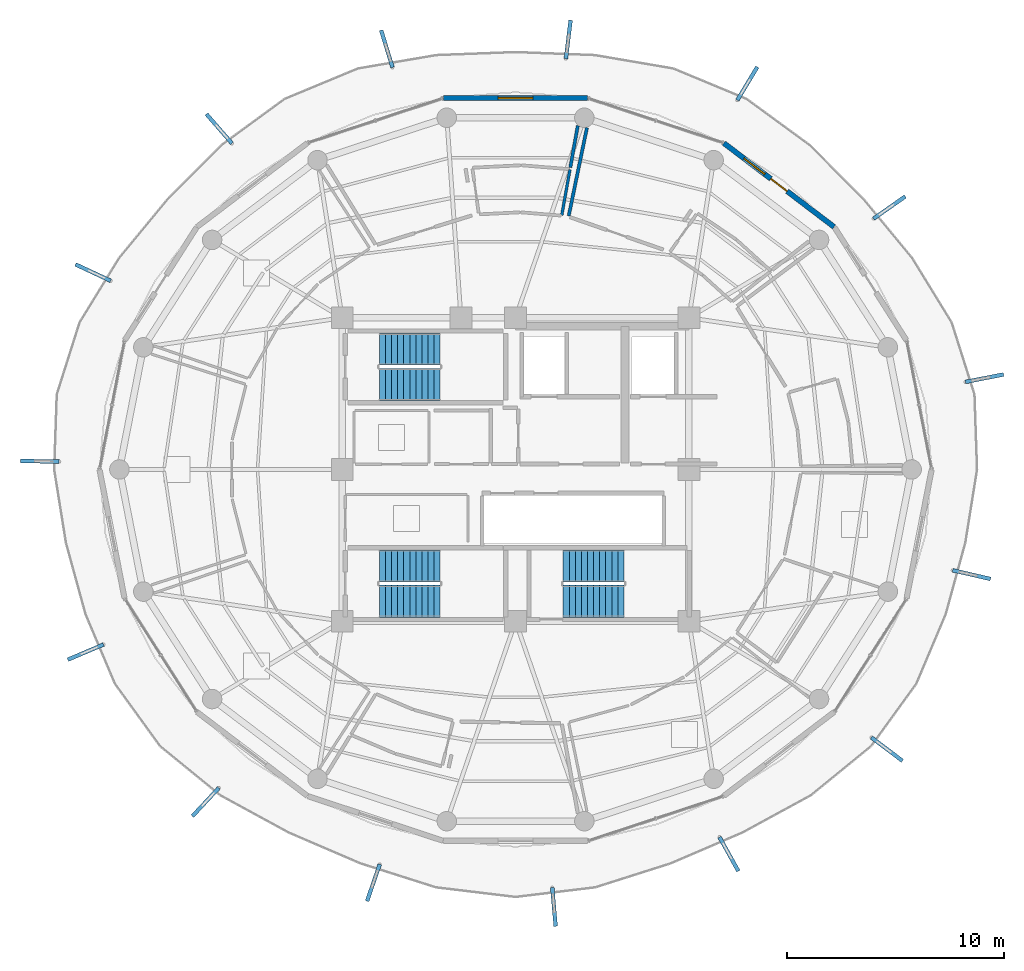
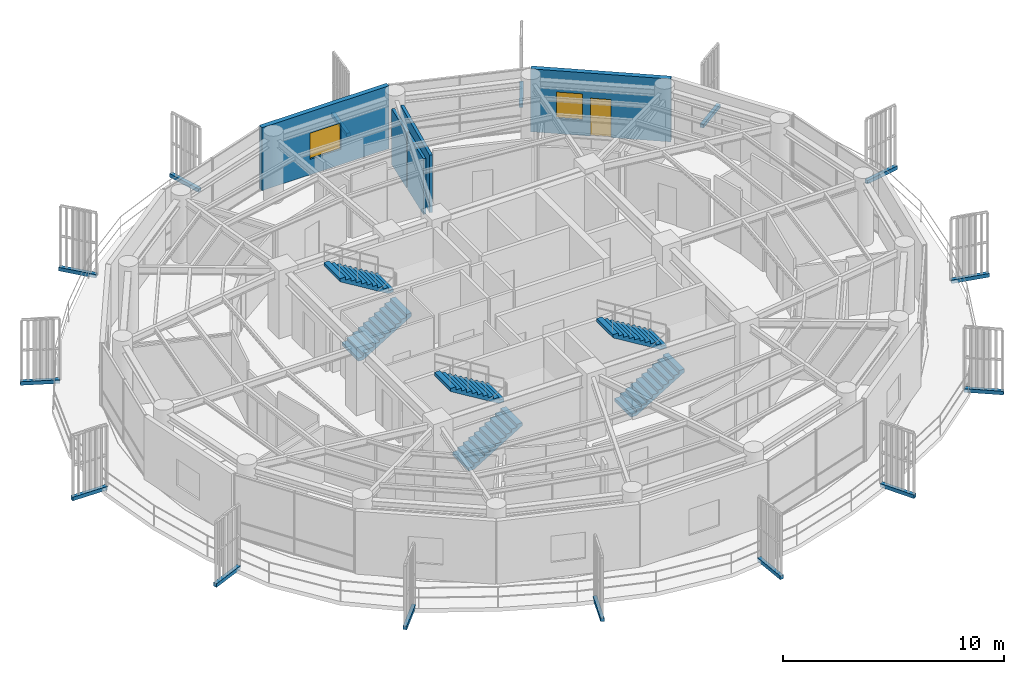
# One storey, part 20 of 24: 15 discrete accessories, 6 stair flights, 5 walls, 2 windows, 1 door, 3 openings, 3 elements without a shape of their own.
"""IFC4 building model written with IfcOpenShell, lengths in metres."""

from ifc_helpers import new_model, si_unit, direction, frame, frame_2d, origin, origin_2d, place, context, subcontext, project, spatial, polyline, rectangle, outline, extrude, source, transform, mapped, material, layer, layer_set, type_object, element, fill, aggregate, save


model = new_model("IFC4")

# Units and contexts
model_context = context("Model", 3, precision=1e-05, world=origin(), true_north=direction((0.0, 1.0)))
body_context = subcontext(model_context, "Body", "Model", "MODEL_VIEW")
ifc_project = project(units=[si_unit("LENGTHUNIT", "METRE"), si_unit("AREAUNIT", "SQUARE_METRE"), si_unit("VOLUMEUNIT", "CUBIC_METRE"), si_unit("PLANEANGLEUNIT", "RADIAN"), si_unit("MASSUNIT", "GRAM", prefix="KILO")], contexts=[model_context])

# Site, building, storey
site_placement = place(None, origin())
site = spatial("IfcSite", under=ifc_project, at=site_placement, CompositionType="ELEMENT")
building_placement = place(site_placement, origin())
building = spatial("IfcBuilding", under=site, at=building_placement, Name="Kelanora Arch Commons", CompositionType="ELEMENT")
storey_placement = place(building_placement, frame((0.0, 0.0, 248.699951171875)))
storey = spatial("IfcBuildingStorey", under=building, at=storey_placement, Name="L63", CompositionType="ELEMENT", Elevation=248.699951171875)

# Walls
ifc_material_1 = material(Name="Autoclaved aerated concrete blockwork with fire plaster", Category="masonry")
ifc_layer_1 = layer(ifc_material_1, 0.14990234375)
ifc_layer_set_1 = layer_set([ifc_layer_1], Name="Autoclaved aerated concrete blockwork with fire plaster")
wall_type_1 = type_object("IfcWallType", Name="W-COMP-150", PredefinedType="PARTITIONING", material=ifc_layer_set_1)
wall_1_placement = place(storey_placement, frame((76.453125, 69.703125, 0.0), z_axis=(0.0, 0.0, 1.0), x_axis=(0.202308141573, 0.979321916355, 0.0)))
element("IfcWall", 1, at=wall_1_placement, inside=storey, type_object=wall_type_1, Name="Co-Living Studio L63-02 Enclosure Partition 2", PredefinedType="PARTITIONING", context=body_context, shape_type="SweptSolid", body=[
    extrude(rectangle(XDim=4.152587890625, YDim=0.14990234375, at=frame_2d((2.076171875, 0.0))), origin(), (0.0, 0.0, 1.0), 3.175048828125),
])
wall_2_placement = place(storey_placement, frame((76.87109375, 73.864013671875, 0.0), z_axis=(0.0, 0.0, 1.0), x_axis=(-0.176100981623, -0.98437210661, 0.0)))
element("IfcWall", 2, at=wall_2_placement, inside=storey, type_object=wall_type_1, Name="Co-Living Studio L63-03 Enclosure Partition 5", PredefinedType="PARTITIONING", context=body_context, shape_type="SweptSolid", body=[
    extrude(rectangle(XDim=1.960205078125, YDim=0.14990234375, at=frame_2d((0.97998046875, 0.0))), origin(), (0.0, 0.0, 1.0), 3.074951171875),
])

# Wall, openings, door, window
ifc_material_2 = material(Name="Precast concrete C40/50 upper-zone terracotta rainscreen", Category="masonry")
ifc_layer_2 = layer(ifc_material_2, 0.239990234375)
ifc_layer_set_2 = layer_set([ifc_layer_2], Name="Precast concrete C40/50 upper-zone terracotta rainscreen")
wall_type_2 = type_object("IfcWallType", Name="W-EXT-TC2", PredefinedType="SOLIDWALL", material=ifc_layer_set_2)
wall_3_placement = place(storey_placement, frame((88.6962890625, 69.193603515625, 0.0), z_axis=(0.0, 0.0, 1.0), x_axis=(-0.796010444211, 0.605282886514, 0.0)))
wall_3 = element("IfcWall", 3, at=wall_3_placement, inside=storey, type_object=wall_type_2, Name="Terracotta Exterior Wall L63-B02", PredefinedType="SOLIDWALL", context=body_context, shape_type="SweptSolid", body=[
    extrude(rectangle(XDim=6.387451171875, YDim=0.239990234375, at=frame_2d((3.19384765625, 0.0))), origin(), (0.0, 0.0, 1.0), 3.47509765625),
])
opening_1_placement = place(wall_3_placement, frame((2.718994140625, 0.0, 0.0)))
opening_1 = element("IfcOpeningElement", 4, at=opening_1_placement, cuts=wall_3, Name="Opening DB-01", PredefinedType="OPENING", context=body_context, shape_type="SweptSolid", body=[
    extrude(rectangle(XDim=0.949951171875, YDim=2.10009765625, at=frame_2d((0.47509765625, 1.050048828125))), frame((0.0, 0.1298828125, 0.0), z_axis=(0.0, -1.0, 0.0), x_axis=(1.0, 0.0, 0.0)), (0.0, 0.0, 1.0), 0.260009765625),
])
opening_2_placement = place(wall_3_placement, frame((4.01904296875, 0.0, 0.85009765625)))
opening_2 = element("IfcOpeningElement", 5, at=opening_2_placement, cuts=wall_3, Name="Opening WN-02", PredefinedType="OPENING", context=body_context, shape_type="SweptSolid", body=[
    extrude(rectangle(XDim=1.199951171875, YDim=1.449951171875, at=frame_2d((0.60009765625, 0.72509765625))), frame((0.0, 0.1298828125, 0.0), z_axis=(0.0, -1.0, 0.0), x_axis=(1.0, 0.0, 0.0)), (0.0, 0.0, 1.0), 0.260009765625),
])
ifc_material_3 = material(Name="Terracotta-aluminium thermally broken glazed balcony door", Category="masonry")
door_type = type_object("IfcDoorType", Name="D-BAL-10", OperationType="NOTDEFINED", PredefinedType="DOOR", material=ifc_material_3)
door_placement = place(opening_1_placement, frame((0.949951171875, 0.0, 0.0), z_axis=(0.0, 0.0, 1.0), x_axis=(-1.0, 0.0, 0.0)))
door = element("IfcDoor", 6, at=door_placement, inside=storey, type_object=door_type, Name="Wave Balcony Door L63-B02", OperationType="SINGLE_SWING_RIGHT", OverallHeight=2.10009765625, OverallWidth=0.949951171875, PredefinedType="DOOR", context=body_context, shape_type="SweptSolid", body=[
    extrude(rectangle(XDim=0.949951171875, YDim=2.10009765625, at=frame_2d((0.47509765625, 1.050048828125))), frame((0.0, 0.02490234375, 0.0), z_axis=(0.0, -1.0, 0.0), x_axis=(1.0, 0.0, 0.0)), (0.0, 0.0, 1.0), 0.050048828125),
])
fill(opening_1, door)
ifc_material_4 = material(Name="Terracotta-anodised aluminium frame with operable awning sash", Category="masonry")
window_type_1 = type_object("IfcWindowType", Name="WIN-CL-12", PartitioningType="SINGLE_PANEL", PredefinedType="WINDOW", material=ifc_material_4)
window_1_placement = place(opening_2_placement, origin())
window_1 = element("IfcWindow", 7, at=window_1_placement, inside=storey, type_object=window_type_1, Name="Co-Living Operable Window L63-B02", OverallHeight=1.449951171875, OverallWidth=1.199951171875, PartitioningType="SINGLE_PANEL", PredefinedType="WINDOW", context=body_context, shape_type="SweptSolid", body=[
    extrude(rectangle(XDim=1.199951171875, YDim=1.449951171875, at=frame_2d((0.60009765625, 0.72509765625))), frame((0.0, 0.030029296875, 0.0), z_axis=(0.0, -1.0, 0.0), x_axis=(1.0, 0.0, 0.0)), (0.0, 0.0, 1.0), 0.06005859375),
])
fill(opening_2, window_1)

# Wall, opening, window
wall_4_placement = place(storey_placement, frame((77.319091796875, 75.1357421875, 0.0), z_axis=(0.0, 0.0, 1.0), x_axis=(-1.0, 0.0, 0.0)))
wall_4 = element("IfcWall", 8, at=wall_4_placement, inside=storey, type_object=wall_type_2, Name="Terracotta Exterior Wall L63-B04", PredefinedType="SOLIDWALL", context=body_context, shape_type="SweptSolid", body=[
    extrude(rectangle(XDim=6.63818359375, YDim=0.239990234375, at=frame_2d((3.319091796875, 0.0))), origin(), (0.0, 0.0, 1.0), 3.47509765625),
])
opening_3_placement = place(wall_4_placement, frame((2.51904296875, 0.0, 0.85009765625)))
opening_3 = element("IfcOpeningElement", 9, at=opening_3_placement, cuts=wall_4, Name="Opening WN-01", PredefinedType="OPENING", context=body_context, shape_type="SweptSolid", body=[
    extrude(rectangle(XDim=1.60009765625, YDim=1.449951171875, at=frame_2d((0.800048828125, 0.72509765625))), frame((0.0, 0.1298828125, 0.0), z_axis=(0.0, -1.0, 0.0), x_axis=(1.0, 0.0, 0.0)), (0.0, 0.0, 1.0), 0.260009765625),
])
ifc_material_5 = material(Name="Terracotta-anodised aluminium frame with operable low-E glazing", Category="masonry")
window_type_2 = type_object("IfcWindowType", Name="WIN-CL-18", PartitioningType="DOUBLE_PANEL_VERTICAL", PredefinedType="WINDOW", material=ifc_material_5)
window_2_placement = place(opening_3_placement, origin())
window_2 = element("IfcWindow", 10, at=window_2_placement, inside=storey, type_object=window_type_2, Name="Co-Living Operable Window L63-B04", OverallHeight=1.449951171875, OverallWidth=1.60009765625, PartitioningType="SINGLE_PANEL", PredefinedType="WINDOW", context=body_context, shape_type="SweptSolid", body=[
    extrude(rectangle(XDim=1.60009765625, YDim=1.449951171875, at=frame_2d((0.800048828125, 0.72509765625))), frame((0.0, 0.030029296875, 0.0), z_axis=(0.0, -1.0, 0.0), x_axis=(1.0, 0.0, 0.0)), (0.0, 0.0, 1.0), 0.06005859375),
])
fill(opening_3, window_2)

# Wall
ifc_material_6 = material(Name="Moisture-resistant fire-rated cement-board plumbing wall")
ifc_layer_3 = layer(ifc_material_6, 0.1298828125)
ifc_layer_set_3 = layer_set([ifc_layer_3], Name="Moisture-resistant fire-rated cement-board plumbing wall")
wall_type_3 = type_object("IfcWallType", Name="W-WET-120", PredefinedType="PLUMBINGWALL", material=ifc_layer_set_3)
wall_5_placement = place(storey_placement, frame((76.508544921875, 71.835205078125, 0.0), z_axis=(0.0, 0.0, 1.0), x_axis=(-0.176550443794, -0.984291593379, 0.0)))
element("IfcWall", 11, at=wall_5_placement, inside=storey, type_object=wall_type_3, Name="En-Suite Shower WC L63-03 Enclosure Partition 6", PredefinedType="PLUMBINGWALL", context=body_context, shape_type="SweptSolid", body=[
    extrude(rectangle(XDim=2.135009765625, YDim=0.1298828125, at=frame_2d((1.0673828125, 0.0))), origin(), (0.0, 0.0, 1.0), 3.074951171875),
])

# Stair, stair flights
ifc_material_7 = material(Name="Concrete C40/50", Category="concrete")
stair_type = type_object("IfcStairType", Name="STR-DL-375", PredefinedType="HALF_TURN_STAIR", material=ifc_material_7)
stair_1_placement = place(storey_placement, origin())
stair_1 = element("IfcStair", 12, at=stair_1_placement, inside=storey, type_object=stair_type, Name="L63 ST-T1", PredefinedType="HALF_TURN_STAIR")
stair_flight_type = type_object("IfcStairFlightType", Name="FLT-DL-375", PredefinedType="STRAIGHT", material=ifc_material_7)
stair_flight_1_placement = place(storey_placement, frame((67.719970703125, 61.919921875, 0.0), z_axis=(0.0, 0.0, 1.0), x_axis=(1.0, 0.0, 0.0)))
stair_flight_1 = element("IfcStairFlight", 13, at=stair_flight_1_placement, type_object=stair_flight_type, Name="ST-T1 flight 1", NumberOfRisers=11, NumberOfTreads=10, PredefinedType="STRAIGHT", RiserHeight=0.170454545, TreadLength=0.28, context=body_context, shape_type="SweptSolid", body=[
    extrude(outline(polyline([(0.0, 0.0), (0.0, 0.17041015625), (0.280029296875, 0.17041015625), (0.280029296875, 0.3408203125), (0.56005859375, 0.3408203125), (0.56005859375, 0.511474609375), (0.840087890625, 0.511474609375), (0.840087890625, 0.681884765625), (1.1201171875, 0.681884765625), (1.1201171875, 0.852294921875), (1.39990234375, 0.852294921875), (1.39990234375, 1.022705078125), (1.679931640625, 1.022705078125), (1.679931640625, 1.193115234375), (1.9599609375, 1.193115234375), (1.9599609375, 1.363525390625), (2.239990234375, 1.363525390625), (2.239990234375, 1.5341796875), (2.52001953125, 1.5341796875), (2.52001953125, 1.70458984375), (2.800048828125, 1.70458984375), (2.800048828125, 1.875), (2.800048828125, 1.529052734375), (0.288330078125, 0.0), (0.0, 0.0)])), frame((0.0, 0.739990234375, 0.0), z_axis=(0.0, -1.0, 0.0), x_axis=(1.0, 0.0, 0.0)), (0.0, 0.0, 1.0), 1.47998046875),
])
stair_flight_2_placement = place(storey_placement, frame((70.52001953125, 63.550048828125, 1.875), z_axis=(0.0, 0.0, 1.0), x_axis=(-1.0, 0.0, 0.0)))
stair_flight_2 = element("IfcStairFlight", 14, at=stair_flight_2_placement, type_object=stair_flight_type, Name="ST-T1 flight 2", NumberOfRisers=11, NumberOfTreads=10, PredefinedType="STRAIGHT", RiserHeight=0.170454545, TreadLength=0.28, context=body_context, shape_type="SweptSolid", body=[
    extrude(outline(polyline([(0.0, 0.0), (0.0, 0.17041015625), (0.280029296875, 0.17041015625), (0.280029296875, 0.3408203125), (0.56005859375, 0.3408203125), (0.56005859375, 0.511474609375), (0.840087890625, 0.511474609375), (0.840087890625, 0.681884765625), (1.1201171875, 0.681884765625), (1.1201171875, 0.852294921875), (1.39990234375, 0.852294921875), (1.39990234375, 1.022705078125), (1.679931640625, 1.022705078125), (1.679931640625, 1.193115234375), (1.9599609375, 1.193115234375), (1.9599609375, 1.363525390625), (2.239990234375, 1.363525390625), (2.239990234375, 1.5341796875), (2.52001953125, 1.5341796875), (2.52001953125, 1.70458984375), (2.800048828125, 1.70458984375), (2.800048828125, 1.875), (2.800048828125, 1.529052734375), (0.288330078125, 0.0), (0.0, 0.0)])), frame((0.0, 0.739990234375, 0.0), z_axis=(0.0, -1.0, 0.0), x_axis=(1.0, 0.0, 0.0)), (0.0, 0.0, 1.0), 1.47998046875),
])
aggregate(stair_1, [stair_flight_1, stair_flight_2])

stair_2_placement = place(storey_placement, origin())
stair_2 = element("IfcStair", 15, at=stair_2_placement, inside=storey, type_object=stair_type, Name="L63 ST-T2", PredefinedType="HALF_TURN_STAIR")
stair_flight_3_placement = place(storey_placement, frame((76.199951171875, 51.919921875, 0.0), z_axis=(0.0, 0.0, 1.0), x_axis=(1.0, 0.0, 0.0)))
stair_flight_3 = element("IfcStairFlight", 16, at=stair_flight_3_placement, type_object=stair_flight_type, Name="ST-T2 flight 1", NumberOfRisers=11, NumberOfTreads=10, PredefinedType="STRAIGHT", RiserHeight=0.170454545, TreadLength=0.28, context=body_context, shape_type="SweptSolid", body=[
    extrude(outline(polyline([(0.0, 0.0), (0.0, 0.17041015625), (0.280029296875, 0.17041015625), (0.280029296875, 0.3408203125), (0.56005859375, 0.3408203125), (0.56005859375, 0.511474609375), (0.840087890625, 0.511474609375), (0.840087890625, 0.681884765625), (1.1201171875, 0.681884765625), (1.1201171875, 0.852294921875), (1.39990234375, 0.852294921875), (1.39990234375, 1.022705078125), (1.679931640625, 1.022705078125), (1.679931640625, 1.193115234375), (1.9599609375, 1.193115234375), (1.9599609375, 1.363525390625), (2.239990234375, 1.363525390625), (2.239990234375, 1.5341796875), (2.52001953125, 1.5341796875), (2.52001953125, 1.70458984375), (2.800048828125, 1.70458984375), (2.800048828125, 1.875), (2.800048828125, 1.529052734375), (0.288330078125, 0.0), (0.0, 0.0)])), frame((0.0, 0.739990234375, 0.0), z_axis=(0.0, -1.0, 0.0), x_axis=(1.0, 0.0, 0.0)), (0.0, 0.0, 1.0), 1.47998046875),
])
stair_flight_4_placement = place(storey_placement, frame((79.0, 53.550048828125, 1.875), z_axis=(0.0, 0.0, 1.0), x_axis=(-1.0, 0.0, 0.0)))
stair_flight_4 = element("IfcStairFlight", 17, at=stair_flight_4_placement, type_object=stair_flight_type, Name="ST-T2 flight 2", NumberOfRisers=11, NumberOfTreads=10, PredefinedType="STRAIGHT", RiserHeight=0.170454545, TreadLength=0.28, context=body_context, shape_type="SweptSolid", body=[
    extrude(outline(polyline([(0.0, 0.0), (0.0, 0.17041015625), (0.280029296875, 0.17041015625), (0.280029296875, 0.3408203125), (0.56005859375, 0.3408203125), (0.56005859375, 0.511474609375), (0.840087890625, 0.511474609375), (0.840087890625, 0.681884765625), (1.1201171875, 0.681884765625), (1.1201171875, 0.852294921875), (1.39990234375, 0.852294921875), (1.39990234375, 1.022705078125), (1.679931640625, 1.022705078125), (1.679931640625, 1.193115234375), (1.9599609375, 1.193115234375), (1.9599609375, 1.363525390625), (2.239990234375, 1.363525390625), (2.239990234375, 1.5341796875), (2.52001953125, 1.5341796875), (2.52001953125, 1.70458984375), (2.800048828125, 1.70458984375), (2.800048828125, 1.875), (2.800048828125, 1.529052734375), (0.288330078125, 0.0), (0.0, 0.0)])), frame((0.0, 0.739990234375, 0.0), z_axis=(0.0, -1.0, 0.0), x_axis=(1.0, 0.0, 0.0)), (0.0, 0.0, 1.0), 1.47998046875),
])
aggregate(stair_2, [stair_flight_3, stair_flight_4])

stair_3_placement = place(storey_placement, origin())
stair_3 = element("IfcStair", 18, at=stair_3_placement, inside=storey, type_object=stair_type, Name="L63 ST-T3", PredefinedType="HALF_TURN_STAIR")
stair_flight_5_placement = place(storey_placement, frame((67.719970703125, 51.919921875, 0.0), z_axis=(0.0, 0.0, 1.0), x_axis=(1.0, 0.0, 0.0)))
stair_flight_5 = element("IfcStairFlight", 19, at=stair_flight_5_placement, type_object=stair_flight_type, Name="ST-T3 flight 1", NumberOfRisers=11, NumberOfTreads=10, PredefinedType="STRAIGHT", RiserHeight=0.170454545, TreadLength=0.28, context=body_context, shape_type="SweptSolid", body=[
    extrude(outline(polyline([(0.0, 0.0), (0.0, 0.17041015625), (0.280029296875, 0.17041015625), (0.280029296875, 0.3408203125), (0.56005859375, 0.3408203125), (0.56005859375, 0.511474609375), (0.840087890625, 0.511474609375), (0.840087890625, 0.681884765625), (1.1201171875, 0.681884765625), (1.1201171875, 0.852294921875), (1.39990234375, 0.852294921875), (1.39990234375, 1.022705078125), (1.679931640625, 1.022705078125), (1.679931640625, 1.193115234375), (1.9599609375, 1.193115234375), (1.9599609375, 1.363525390625), (2.239990234375, 1.363525390625), (2.239990234375, 1.5341796875), (2.52001953125, 1.5341796875), (2.52001953125, 1.70458984375), (2.800048828125, 1.70458984375), (2.800048828125, 1.875), (2.800048828125, 1.529052734375), (0.288330078125, 0.0), (0.0, 0.0)])), frame((0.0, 0.739990234375, 0.0), z_axis=(0.0, -1.0, 0.0), x_axis=(1.0, 0.0, 0.0)), (0.0, 0.0, 1.0), 1.47998046875),
])
stair_flight_6_placement = place(storey_placement, frame((70.52001953125, 53.550048828125, 1.875), z_axis=(0.0, 0.0, 1.0), x_axis=(-1.0, 0.0, 0.0)))
stair_flight_6 = element("IfcStairFlight", 20, at=stair_flight_6_placement, type_object=stair_flight_type, Name="ST-T3 flight 2", NumberOfRisers=11, NumberOfTreads=10, PredefinedType="STRAIGHT", RiserHeight=0.170454545, TreadLength=0.28, context=body_context, shape_type="SweptSolid", body=[
    extrude(outline(polyline([(0.0, 0.0), (0.0, 0.17041015625), (0.280029296875, 0.17041015625), (0.280029296875, 0.3408203125), (0.56005859375, 0.3408203125), (0.56005859375, 0.511474609375), (0.840087890625, 0.511474609375), (0.840087890625, 0.681884765625), (1.1201171875, 0.681884765625), (1.1201171875, 0.852294921875), (1.39990234375, 0.852294921875), (1.39990234375, 1.022705078125), (1.679931640625, 1.022705078125), (1.679931640625, 1.193115234375), (1.9599609375, 1.193115234375), (1.9599609375, 1.363525390625), (2.239990234375, 1.363525390625), (2.239990234375, 1.5341796875), (2.52001953125, 1.5341796875), (2.52001953125, 1.70458984375), (2.800048828125, 1.70458984375), (2.800048828125, 1.875), (2.800048828125, 1.529052734375), (0.288330078125, 0.0), (0.0, 0.0)])), frame((0.0, 0.739990234375, 0.0), z_axis=(0.0, -1.0, 0.0), x_axis=(1.0, 0.0, 0.0)), (0.0, 0.0, 1.0), 1.47998046875),
])
aggregate(stair_3, [stair_flight_5, stair_flight_6])

# Discrete accessories
ifc_material_8 = material(Name="Stainless steel 316 marine fin bracket", Category="steel")
discrete_accessory_type = type_object("IfcDiscreteAccessoryType", Name="ACC-FIN-BRK", PredefinedType="BRACKET", material=ifc_material_8)
shared_shape = source(origin(), body_context, "Body", "SweptSolid", [
    extrude(rectangle(XDim=1.7900390625, YDim=0.179931640625, at=origin_2d()), origin(), (0.0, 0.0, 1.0), 0.199951171875),
])
for number, where, z_axis, x_axis, name in (
    (21, (91.134521484375, 45.09521484375, -0.16015625), (0.0, 0.0, 1.0), (0.79884553446, -0.60153621011, 0.0), "Sweeping Fin Cantilever Spine Bracket L63-00"),
    (22, (95.04296875, 53.147705078125, -0.16015625), (0.0, 0.0, 1.0), (0.974448528153, -0.224610921331, 0.0), "Sweeping Fin Cantilever Spine Bracket L63-01"),
    (23, (95.6376953125, 62.2119140625, -0.16015625), (0.0, 0.0, 1.0), (0.981560518741, 0.191151636272, 0.0), "Sweeping Fin Cantilever Spine Bracket L63-02"),
    (24, (91.249267578125, 70.084716796875, -0.16015625), (0.0, 0.0, 1.0), (0.818951778441, 0.573862339406, 0.0), "Sweeping Fin Cantilever Spine Bracket L63-03"),
    (25, (84.693359375, 75.807373046875, -0.16015625), (0.0, 0.0, 1.0), (0.514738835705, 0.85734703068, 0.0), "Sweeping Fin Cantilever Spine Bracket L63-04"),
    (26, (76.430908203125, 77.841064453125, -0.16015625), (0.0, 0.0, 1.0), (0.121522872021, 0.992588631597, 0.0), "Sweeping Fin Cantilever Spine Bracket L63-05"),
    (27, (68.06005859375, 77.410400390625, -0.16015625), (0.0, 0.0, 1.0), (-0.292705500237, 0.956202640726, 0.0), "Sweeping Fin Cantilever Spine Bracket L63-06"),
    (28, (60.322998046875, 73.72509765625, -0.16015625), (0.0, 0.0, 1.0), (-0.656190740668, 0.754595064827, 0.0), "Sweeping Fin Cantilever Spine Bracket L63-07"),
    (29, (54.5048828125, 67.08447265625, -0.16015625), (0.0, 0.0, 1.0), (-0.906381534034, 0.422460074755, 0.0), "Sweeping Fin Cantilever Spine Bracket L63-08"),
    (30, (52.047607421875, 58.37744140625, -0.16015625), (0.0, 0.0, 1.0), (-0.999850725947, 0.017277899829, 0.0), "Sweeping Fin Cantilever Spine Bracket L63-09"),
    (31, (54.16357421875, 49.57373046875, -0.16015625), (0.0, 0.0, 1.0), (-0.920436643986, -0.390891780942, 0.0), "Sweeping Fin Cantilever Spine Bracket L63-10"),
    (32, (59.697509765625, 42.654296875, -0.16015625), (0.0, 0.0, 1.0), (-0.681870704375, -0.731472721648, 0.0), "Sweeping Fin Cantilever Spine Bracket L63-11"),
    (33, (67.439697265625, 38.931396484375, -0.16015625), (0.0, 0.0, 1.0), (-0.325403125376, -0.94557538356, 0.0), "Sweeping Fin Cantilever Spine Bracket L63-12"),
    (34, (75.771240234375, 37.814208984375, -0.16015625), (0.0, 0.0, 1.0), (0.087329610194, -0.996179471372, 0.0), "Sweeping Fin Cantilever Spine Bracket L63-13"),
    (35, (83.84375, 40.252197265625, -0.16015625), (0.0, 0.0, 1.0), (0.484962262797, -0.874535078577, 0.0), "Sweeping Fin Cantilever Spine Bracket L63-14"),
):
    element("IfcDiscreteAccessory", number, at=place(storey_placement, frame(where, z_axis=z_axis, x_axis=x_axis)), inside=storey, type_object=discrete_accessory_type, Name=name, PredefinedType="BRACKET", context=body_context, shape_type="MappedRepresentation", body=[
        mapped(shared_shape, transform((0.0, 0.0, 0.0), scale=1.0)),
    ])

save(model, "model.ifc")
